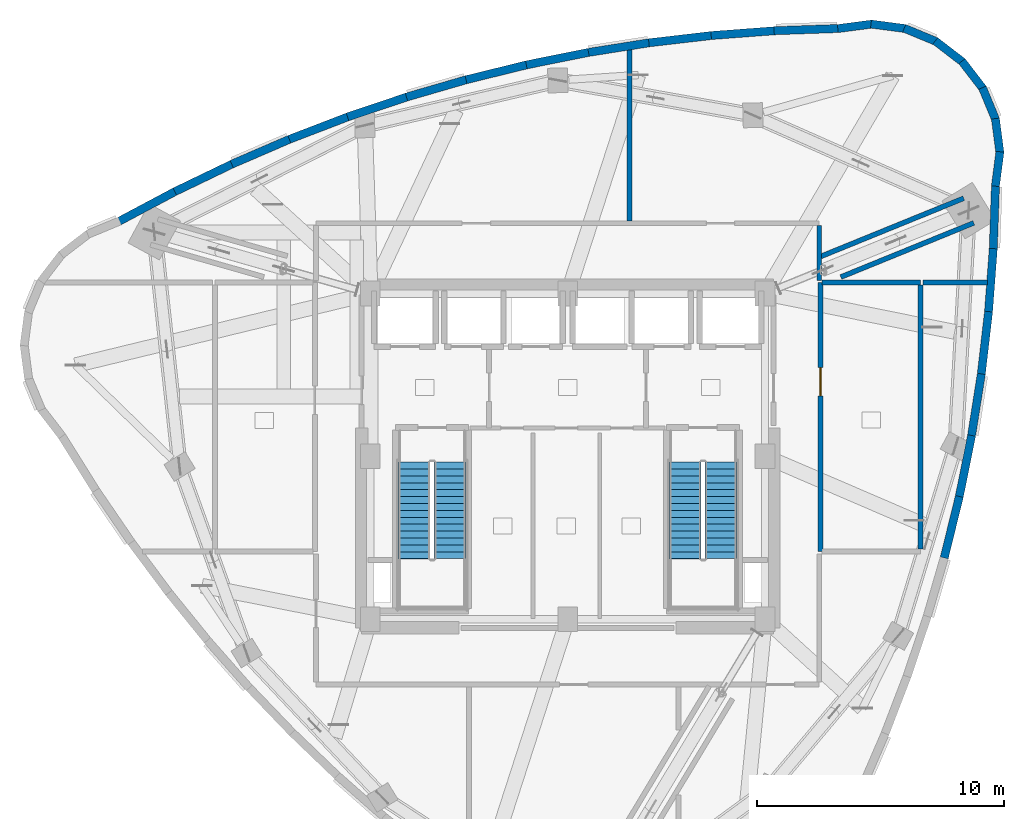
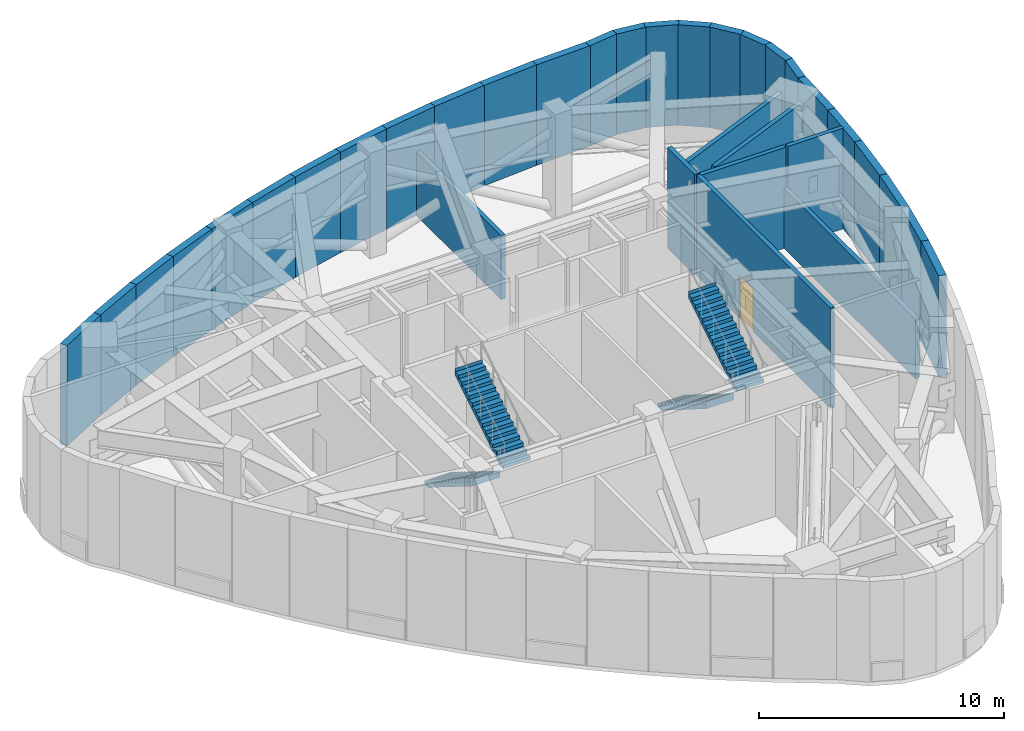
# One storey, part 7 of 10: 34 walls, 4 stair flights, 1 door, 1 opening, 2 elements without a shape of their own.
"""IFC4 building model written with IfcOpenShell, lengths in metres."""

from ifc_helpers import new_model, si_unit, direction, frame, frame_2d, origin, place, context, subcontext, project, spatial, polyline, rectangle, outline, extrude, material, layer, layer_set, type_object, element, fill, aggregate, save


model = new_model("IFC4")

# Units and contexts
model_context = context("Model", 3, precision=1e-05, world=origin(), true_north=direction((0.0, 1.0)))
body_context = subcontext(model_context, "Body", "Model", "MODEL_VIEW")
ifc_project = project(units=[si_unit("LENGTHUNIT", "METRE"), si_unit("AREAUNIT", "SQUARE_METRE"), si_unit("VOLUMEUNIT", "CUBIC_METRE"), si_unit("PLANEANGLEUNIT", "RADIAN"), si_unit("MASSUNIT", "GRAM", prefix="KILO")], contexts=[model_context])

# Site, building, storey
site_placement = place(None, origin())
site = spatial("IfcSite", under=ifc_project, at=site_placement, CompositionType="ELEMENT")
building_placement = place(site_placement, origin())
building = spatial("IfcBuilding", under=site, at=building_placement, Name="Ndelora Gate Hotel", CompositionType="ELEMENT")
storey_placement = place(building_placement, frame((0.0, 0.0, 254.949951171875)))
storey = spatial("IfcBuildingStorey", under=building, at=storey_placement, Name="L64", CompositionType="ELEMENT", Elevation=254.949951171875)

# Walls
ifc_material_1 = material(Name="Clay Brick Masonry", Category="masonry")
ifc_layer_1 = layer(ifc_material_1, 0.330078125)
ifc_layer_set_1 = layer_set([ifc_layer_1], Name="Clay Brick Masonry")
wall_type_1 = type_object("IfcWallType", Name="WL-BRICK-330", PredefinedType="SOLIDWALL", material=ifc_layer_set_1)
wall_1_placement = place(storey_placement, frame((15.88134765625, -1.625244140625, 0.0), z_axis=(0.0, 0.0, 1.0), x_axis=(-0.238526309521, -0.971136035613, 0.0)))
element("IfcWall", 1, at=wall_1_placement, inside=storey, type_object=wall_type_1, Name="L64 Tower Brick Pier-and-Spandrel Wall TWR-35", PredefinedType="SOLIDWALL", context=body_context, shape_type="SweptSolid", body=[
    extrude(rectangle(XDim=2.56591796875, YDim=0.330078125, at=frame_2d((1.282958984375, 0.0))), origin(), (0.0, 0.0, 1.0), 5.0),
])
wall_2_placement = place(storey_placement, frame((16.37841796875, 0.845703125, 0.0), z_axis=(0.0, 0.0, 1.0), x_axis=(-0.197558891775, -0.980291020198, 0.0)))
element("IfcWall", 2, at=wall_2_placement, inside=storey, type_object=wall_type_1, Name="L64 Tower Brick Pier-and-Spandrel Wall TWR-36", PredefinedType="SOLIDWALL", context=body_context, shape_type="SweptSolid", body=[
    extrude(rectangle(XDim=2.570556640625, YDim=0.330078125, at=frame_2d((1.28515625, 0.0))), origin(), (0.0, 0.0, 1.0), 5.0),
])
wall_3_placement = place(storey_placement, frame((16.773681640625, 3.34423828125, 0.0), z_axis=(0.0, 0.0, 1.0), x_axis=(-0.156642981196, -0.987655292317, 0.0)))
element("IfcWall", 3, at=wall_3_placement, inside=storey, type_object=wall_type_1, Name="L64 Tower Brick Pier-and-Spandrel Wall TWR-37", PredefinedType="SOLIDWALL", context=body_context, shape_type="SweptSolid", body=[
    extrude(rectangle(XDim=2.579345703125, YDim=0.330078125, at=frame_2d((1.28955078125, 0.0))), origin(), (0.0, 0.0, 1.0), 5.0),
])
wall_4_placement = place(storey_placement, frame((17.06689453125, 5.86962890625, 0.0), z_axis=(0.0, 0.0, 1.0), x_axis=(-0.115742879223, -0.993279208435, 0.0)))
element("IfcWall", 4, at=wall_4_placement, inside=storey, type_object=wall_type_1, Name="L64 Tower Brick Pier-and-Spandrel Wall TWR-38", PredefinedType="SOLIDWALL", context=body_context, shape_type="SweptSolid", body=[
    extrude(rectangle(XDim=2.59228515625, YDim=0.330078125, at=frame_2d((1.296142578125, 0.0))), origin(), (0.0, 0.0, 1.0), 5.0),
])
wall_5_placement = place(storey_placement, frame((17.258056640625, 8.422607421875, 0.0), z_axis=(0.0, 0.0, 1.0), x_axis=(-0.075115515538, -0.997174838895, 0.0)))
element("IfcWall", 5, at=wall_5_placement, inside=storey, type_object=wall_type_1, Name="L64 Tower Brick Pier-and-Spandrel Wall TWR-39", PredefinedType="SOLIDWALL", context=body_context, shape_type="SweptSolid", body=[
    extrude(rectangle(XDim=2.60986328125, YDim=0.330078125, at=frame_2d((1.304931640625, 0.0))), origin(), (0.0, 0.0, 1.0), 5.0),
])
wall_6_placement = place(storey_placement, frame((17.347412109375, 11.002685546875, 0.0), z_axis=(0.0, 0.0, 1.0), x_axis=(-0.034976728916, -0.999388127023, 0.0)))
element("IfcWall", 6, at=wall_6_placement, inside=storey, type_object=wall_type_1, Name="L64 Tower Brick Pier-and-Spandrel Wall TWR-40", PredefinedType="SOLIDWALL", context=body_context, shape_type="SweptSolid", body=[
    extrude(rectangle(XDim=2.631591796875, YDim=0.330078125, at=frame_2d((1.31591796875, 0.0))), origin(), (0.0, 0.0, 1.0), 5.0),
])
for number, where, z_axis, x_axis, name in (
    (7, (17.527099609375, 12.348388671875, 0.0), (0.0, 0.0, 1.0), (-0.130607061093, -0.991434211429, 0.0), "L64 Tower Brick Pier-and-Spandrel Wall TWR-41"),
    (8, (17.34326171875, 13.6943359375, 0.0), (0.0, 0.0, 1.0), (0.130607061093, -0.991434211429, 0.0), "L64 Tower Brick Pier-and-Spandrel Wall TWR-42"),
    (9, (16.8173828125, 14.94677734375, 0.0), (0.0, 0.0, 1.0), (0.382816464446, -0.923824417597, 0.0), "L64 Tower Brick Pier-and-Spandrel Wall TWR-43"),
):
    element("IfcWall", number, at=place(storey_placement, frame(where, z_axis=z_axis, x_axis=x_axis)), inside=storey, type_object=wall_type_1, Name=name, PredefinedType="SOLIDWALL", context=body_context, shape_type="SweptSolid", body=[
        extrude(rectangle(XDim=1.407470703125, YDim=0.330078125, at=frame_2d((0.70361328125, 0.0))), origin(), (0.0, 0.0, 1.0), 5.0),
    ])
for number, where, z_axis, x_axis, name in (
    (10, (15.9853515625, 16.0205078125, 0.0), (0.0, 0.0, 1.0), (0.608788322782, -0.793332703249, 0.0), "L64 Tower Brick Pier-and-Spandrel Wall TWR-44"),
    (11, (14.90380859375, 16.84228515625, 0.0), (0.0, 0.0, 1.0), (0.793332703249, -0.608788322782, 0.0), "L64 Tower Brick Pier-and-Spandrel Wall TWR-45"),
):
    element("IfcWall", number, at=place(storey_placement, frame(where, z_axis=z_axis, x_axis=x_axis)), inside=storey, type_object=wall_type_1, Name=name, PredefinedType="SOLIDWALL", context=body_context, shape_type="SweptSolid", body=[
        extrude(rectangle(XDim=1.40771484375, YDim=0.330078125, at=frame_2d((0.703857421875, 0.0))), origin(), (0.0, 0.0, 1.0), 5.0),
    ])
for number, where, z_axis, x_axis, name in (
    (12, (13.646484375, 17.356201171875, 0.0), (0.0, 0.0, 1.0), (0.923824417597, -0.382816464446, 0.0), "L64 Tower Brick Pier-and-Spandrel Wall TWR-46"),
    (13, (12.298828125, 17.527099609375, 0.0), (0.0, 0.0, 1.0), (0.991434211429, -0.130607061093, 0.0), "L64 Tower Brick Pier-and-Spandrel Wall TWR-47"),
    (14, (10.952880859375, 17.34326171875, 0.0), (0.0, 0.0, 1.0), (0.991434211429, 0.130607061093, 0.0), "L64 Tower Brick Pier-and-Spandrel Wall TWR-48"),
):
    element("IfcWall", number, at=place(storey_placement, frame(where, z_axis=z_axis, x_axis=x_axis)), inside=storey, type_object=wall_type_1, Name=name, PredefinedType="SOLIDWALL", context=body_context, shape_type="SweptSolid", body=[
        extrude(rectangle(XDim=1.407470703125, YDim=0.330078125, at=frame_2d((0.70361328125, 0.0))), origin(), (0.0, 0.0, 1.0), 5.0),
    ])
wall_7_placement = place(storey_placement, frame((8.372802734375, 17.25537109375, 0.0), z_axis=(0.0, 0.0, 1.0), x_axis=(0.999388127023, 0.034976728916, 0.0)))
element("IfcWall", 15, at=wall_7_placement, inside=storey, type_object=wall_type_1, Name="L64 Tower Brick Pier-and-Spandrel Wall TWR-49", PredefinedType="SOLIDWALL", context=body_context, shape_type="SweptSolid", body=[
    extrude(rectangle(XDim=2.631591796875, YDim=0.330078125, at=frame_2d((1.31591796875, 0.0))), origin(), (0.0, 0.0, 1.0), 5.0),
])
wall_8_placement = place(storey_placement, frame((5.820068359375, 17.06201171875, 0.0), z_axis=(0.0, 0.0, 1.0), x_axis=(0.997174838895, 0.075115515538, 0.0)))
element("IfcWall", 16, at=wall_8_placement, inside=storey, type_object=wall_type_1, Name="L64 Tower Brick Pier-and-Spandrel Wall TWR-50", PredefinedType="SOLIDWALL", context=body_context, shape_type="SweptSolid", body=[
    extrude(rectangle(XDim=2.60986328125, YDim=0.330078125, at=frame_2d((1.304931640625, 0.0))), origin(), (0.0, 0.0, 1.0), 5.0),
])
wall_9_placement = place(storey_placement, frame((3.294677734375, 16.766845703125, 0.0), z_axis=(0.0, 0.0, 1.0), x_axis=(0.993279208435, 0.115742879223, 0.0)))
element("IfcWall", 17, at=wall_9_placement, inside=storey, type_object=wall_type_1, Name="L64 Tower Brick Pier-and-Spandrel Wall TWR-51", PredefinedType="SOLIDWALL", context=body_context, shape_type="SweptSolid", body=[
    extrude(rectangle(XDim=2.59228515625, YDim=0.330078125, at=frame_2d((1.296142578125, 0.0))), origin(), (0.0, 0.0, 1.0), 5.0),
])
wall_10_placement = place(storey_placement, frame((0.796630859375, 16.36962890625, 0.0), z_axis=(0.0, 0.0, 1.0), x_axis=(0.987655292317, 0.156642981196, 0.0)))
element("IfcWall", 18, at=wall_10_placement, inside=storey, type_object=wall_type_1, Name="L64 Tower Brick Pier-and-Spandrel Wall TWR-52", PredefinedType="SOLIDWALL", context=body_context, shape_type="SweptSolid", body=[
    extrude(rectangle(XDim=2.579345703125, YDim=0.330078125, at=frame_2d((1.28955078125, 0.0))), origin(), (0.0, 0.0, 1.0), 5.0),
])
wall_11_placement = place(storey_placement, frame((-1.674072265625, 15.87060546875, 0.0), z_axis=(0.0, 0.0, 1.0), x_axis=(0.980291020198, 0.197558891775, 0.0)))
element("IfcWall", 19, at=wall_11_placement, inside=storey, type_object=wall_type_1, Name="L64 Tower Brick Pier-and-Spandrel Wall TWR-53", PredefinedType="SOLIDWALL", context=body_context, shape_type="SweptSolid", body=[
    extrude(rectangle(XDim=2.570556640625, YDim=0.330078125, at=frame_2d((1.28515625, 0.0))), origin(), (0.0, 0.0, 1.0), 5.0),
])
wall_12_placement = place(storey_placement, frame((-4.1171875, 15.269287109375, 0.0), z_axis=(0.0, 0.0, 1.0), x_axis=(0.971136035613, 0.238526309521, 0.0)))
element("IfcWall", 20, at=wall_12_placement, inside=storey, type_object=wall_type_1, Name="L64 Tower Brick Pier-and-Spandrel Wall TWR-54", PredefinedType="SOLIDWALL", context=body_context, shape_type="SweptSolid", body=[
    extrude(rectangle(XDim=2.56591796875, YDim=0.330078125, at=frame_2d((1.282958984375, 0.0))), origin(), (0.0, 0.0, 1.0), 5.0),
])
wall_13_placement = place(storey_placement, frame((-6.533203125, 14.566162109375, 0.0), z_axis=(0.0, 0.0, 1.0), x_axis=(0.960275523667, 0.279053612495, 0.0)))
element("IfcWall", 21, at=wall_13_placement, inside=storey, type_object=wall_type_1, Name="L64 Tower Brick Pier-and-Spandrel Wall TWR-55", PredefinedType="SOLIDWALL", context=body_context, shape_type="SweptSolid", body=[
    extrude(rectangle(XDim=2.566162109375, YDim=0.330078125, at=frame_2d((1.283203125, 0.0))), origin(), (0.0, 0.0, 1.0), 5.0),
])
wall_14_placement = place(storey_placement, frame((-8.921630859375, 13.76123046875, 0.0), z_axis=(0.0, 0.0, 1.0), x_axis=(0.947738773702, 0.319047358275, 0.0)))
element("IfcWall", 22, at=wall_14_placement, inside=storey, type_object=wall_type_1, Name="L64 Tower Brick Pier-and-Spandrel Wall TWR-56", PredefinedType="SOLIDWALL", context=body_context, shape_type="SweptSolid", body=[
    extrude(rectangle(XDim=2.5703125, YDim=0.330078125, at=frame_2d((1.28515625, 0.0))), origin(), (0.0, 0.0, 1.0), 5.0),
])
wall_15_placement = place(storey_placement, frame((-11.282958984375, 12.854248046875, 0.0), z_axis=(0.0, 0.0, 1.0), x_axis=(0.933625855472, 0.358249580592, 0.0)))
element("IfcWall", 23, at=wall_15_placement, inside=storey, type_object=wall_type_1, Name="L64 Tower Brick Pier-and-Spandrel Wall TWR-57", PredefinedType="SOLIDWALL", context=body_context, shape_type="SweptSolid", body=[
    extrude(rectangle(XDim=2.579345703125, YDim=0.330078125, at=frame_2d((1.28955078125, 0.0))), origin(), (0.0, 0.0, 1.0), 5.0),
])
wall_16_placement = place(storey_placement, frame((-13.61669921875, 11.845458984375, 0.0), z_axis=(0.0, 0.0, 1.0), x_axis=(0.918055342975, 0.39645225089, 0.0)))
element("IfcWall", 24, at=wall_16_placement, inside=storey, type_object=wall_type_1, Name="L64 Tower Brick Pier-and-Spandrel Wall TWR-58", PredefinedType="SOLIDWALL", context=body_context, shape_type="SweptSolid", body=[
    extrude(rectangle(XDim=2.592529296875, YDim=0.330078125, at=frame_2d((1.29638671875, 0.0))), origin(), (0.0, 0.0, 1.0), 5.0),
])
wall_17_placement = place(storey_placement, frame((-15.923095703125, 10.734619140625, 0.0), z_axis=(0.0, 0.0, 1.0), x_axis=(0.901115392384, 0.433579346382, 0.0)))
element("IfcWall", 25, at=wall_17_placement, inside=storey, type_object=wall_type_1, Name="L64 Tower Brick Pier-and-Spandrel Wall TWR-59", PredefinedType="SOLIDWALL", context=body_context, shape_type="SweptSolid", body=[
    extrude(rectangle(XDim=2.60986328125, YDim=0.330078125, at=frame_2d((1.304931640625, 0.0))), origin(), (0.0, 0.0, 1.0), 5.0),
])
wall_18_placement = place(storey_placement, frame((-18.202392578125, 9.52197265625, 0.0), z_axis=(0.0, 0.0, 1.0), x_axis=(0.883017203333, 0.469340621103, 0.0)))
element("IfcWall", 26, at=wall_18_placement, inside=storey, type_object=wall_type_1, Name="L64 Tower Brick Pier-and-Spandrel Wall TWR-60", PredefinedType="SOLIDWALL", context=body_context, shape_type="SweptSolid", body=[
    extrude(rectangle(XDim=2.631591796875, YDim=0.330078125, at=frame_2d((1.31591796875, 0.0))), origin(), (0.0, 0.0, 1.0), 5.0),
])
ifc_material_2 = material(Name="Concrete C40/50", Category="concrete")
ifc_layer_2 = layer(ifc_material_2, 0.199951171875)
ifc_layer_set_2 = layer_set([ifc_layer_2], Name="Concrete C40/50")
wall_type_2 = type_object("IfcWallType", Name="WL-FIRE-200", PredefinedType="PARTITIONING", material=ifc_layer_set_2)
wall_19_placement = place(storey_placement, frame((11.07666015625, 7.27001953125, 0.0), z_axis=(0.0, 0.0, 1.0), x_axis=(0.926125486863, 0.377215565139, 0.0)))
element("IfcWall", 27, at=wall_19_placement, inside=storey, type_object=wall_type_2, Name="L64 Interior Wall IW-2", PredefinedType="PARTITIONING", context=body_context, shape_type="SweptSolid", body=[
    extrude(rectangle(XDim=5.817138671875, YDim=0.199951171875, at=frame_2d((2.90869140625, 0.0))), origin(), (0.0, 0.0, 1.0), 5.0),
])
wall_20_placement = place(storey_placement, frame((10.260009765625, 8.103515625, 0.0), z_axis=(0.0, 0.0, 1.0), x_axis=(0.926120625084, 0.377227501377, 0.0)))
element("IfcWall", 28, at=wall_20_placement, inside=storey, type_object=wall_type_2, Name="L64 Interior Wall IW-2", PredefinedType="PARTITIONING", context=body_context, shape_type="SweptSolid", body=[
    extrude(rectangle(XDim=6.259033203125, YDim=0.199951171875, at=frame_2d((3.12939453125, 0.0))), origin(), (0.0, 0.0, 1.0), 5.0),
])
wall_21_placement = place(storey_placement, frame((14.300048828125, 6.949951171875, 0.0), z_axis=(0.0, 0.0, 1.0), x_axis=(0.0, -1.0, 0.0)))
element("IfcWall", 29, at=wall_21_placement, inside=storey, type_object=wall_type_2, Name="L64 Interior Wall IW-2", PredefinedType="PARTITIONING", context=body_context, shape_type="SweptSolid", body=[
    extrude(rectangle(XDim=10.699951171875, YDim=0.199951171875, at=frame_2d((5.35009765625, 0.0))), origin(), (0.0, 0.0, 1.0), 2.97998046875),
])
wall_22_placement = place(storey_placement, frame((14.300048828125, 7.050048828125, 0.0), z_axis=(0.0, 0.0, 1.0), x_axis=(-1.0, 0.0, 0.0)))
element("IfcWall", 30, at=wall_22_placement, inside=storey, type_object=wall_type_2, Name="L64 Interior Wall IW-2", PredefinedType="PARTITIONING", context=body_context, shape_type="SweptSolid", body=[
    extrude(rectangle(XDim=3.97998046875, YDim=0.199951171875, at=frame_2d((1.989990234375, 0.0))), origin(), (0.0, 0.0, 1.0), 5.0),
])

# Wall, opening, door
wall_23_placement = place(storey_placement, frame((10.25, 7.050048828125, 0.0), z_axis=(0.0, 0.0, 1.0), x_axis=(0.0, -1.0, 0.0)))
wall_23 = element("IfcWall", 31, at=wall_23_placement, inside=storey, type_object=wall_type_2, Name="L64 Interior Wall IW-2", PredefinedType="PARTITIONING", context=body_context, shape_type="SweptSolid", body=[
    extrude(rectangle(XDim=10.900146484375, YDim=0.199951171875, at=frame_2d((5.4501953125, 0.0))), origin(), (0.0, 0.0, 1.0), 5.0),
])
opening_placement = place(wall_23_placement, frame((3.449951171875, 0.0, 0.0)))
opening = element("IfcOpeningElement", 32, at=opening_placement, cuts=wall_23, Name="Opening FD1", PredefinedType="OPENING", context=body_context, shape_type="SweptSolid", body=[
    extrude(rectangle(XDim=1.14990234375, YDim=2.14990234375, at=frame_2d((0.574951171875, 1.074951171875))), frame((0.0, 0.10986328125, 0.0), z_axis=(0.0, -1.0, 0.0), x_axis=(1.0, 0.0, 0.0)), (0.0, 0.0, 1.0), 0.219970703125),
])
ifc_material_3 = material(Name="Fire-Rated Timber-Veneer Steel Core", Category="steel")
door_type = type_object("IfcDoorType", Name="DR-FD60", OperationType="SINGLE_SWING_LEFT", PredefinedType="DOOR", material=ifc_material_3)
door_placement = place(opening_placement, origin())
door = element("IfcDoor", 33, at=door_placement, inside=storey, type_object=door_type, Name="L64 East Refuge Corridor Fire Door", OperationType="SINGLE_SWING_LEFT", OverallHeight=2.14990234375, OverallWidth=1.14990234375, PredefinedType="DOOR", context=body_context, shape_type="SweptSolid", body=[
    extrude(rectangle(XDim=1.14990234375, YDim=2.14990234375, at=frame_2d((0.574951171875, 1.074951171875))), frame((0.0, 0.02490234375, 0.0), z_axis=(0.0, -1.0, 0.0), x_axis=(1.0, 0.0, 0.0)), (0.0, 0.0, 1.0), 0.050048828125),
])
fill(opening, door)

# Walls
wall_24_placement = place(storey_placement, frame((2.5, 9.550048828125, 0.0), z_axis=(0.0, 0.0, 1.0), x_axis=(0.0, 1.0, 0.0)))
element("IfcWall", 34, at=wall_24_placement, inside=storey, type_object=wall_type_2, Name="L64 Interior Wall IW-2", PredefinedType="PARTITIONING", context=body_context, shape_type="SweptSolid", body=[
    extrude(rectangle(XDim=6.947998046875, YDim=0.199951171875, at=frame_2d((3.47412109375, 0.0))), origin(), (0.0, 0.0, 1.0), 3.179931640625),
])
wall_25_placement = place(storey_placement, frame((14.39990234375, 7.050048828125, 0.0), z_axis=(0.0, 0.0, 1.0), x_axis=(1.0, 0.0, 0.0)))
element("IfcWall", 35, at=wall_25_placement, inside=storey, type_object=wall_type_2, Name="L64 Interior Wall IW-2", PredefinedType="PARTITIONING", context=body_context, shape_type="SweptSolid", body=[
    extrude(rectangle(XDim=2.614501953125, YDim=0.199951171875, at=frame_2d((1.30712890625, 0.0))), origin(), (0.0, 0.0, 1.0), 5.0),
])
wall_26_placement = place(storey_placement, frame((10.199951171875, 7.1201171875, 0.0), z_axis=(0.0, 0.0, 1.0), x_axis=(0.0, 1.0, 0.0)))
element("IfcWall", 36, at=wall_26_placement, inside=storey, type_object=wall_type_2, Name="L64 Interior Wall IW-2", PredefinedType="PARTITIONING", context=body_context, shape_type="SweptSolid", body=[
    extrude(rectangle(XDim=2.22998046875, YDim=0.199951171875, at=frame_2d((1.114990234375, 0.0))), origin(), (0.0, 0.0, 1.0), 5.0),
])

# Stair, stair flights
ifc_material_4 = material(Name="Precast concrete C40/50", Category="concrete")
stair_type = type_object("IfcStairType", Name="STR-DOG-CORE", PredefinedType="HALF_TURN_STAIR", material=ifc_material_4)
stair_1_placement = place(storey_placement, origin())
stair_1 = element("IfcStair", 37, at=stair_1_placement, inside=storey, type_object=stair_type, Name="L64 Protected Core Exit Stair ST4", PredefinedType="HALF_TURN_STAIR")
stair_flight_type = type_object("IfcStairFlightType", Name="STF-PRECAST", PredefinedType="STRAIGHT", material=ifc_material_4)
stair_flight_1_placement = place(storey_placement, frame((-6.2099609375, -0.22998046875, 0.0), z_axis=(0.0, 0.0, 1.0), x_axis=(0.0, -1.0, 0.0)))
stair_flight_1 = element("IfcStairFlight", 38, at=stair_flight_1_placement, type_object=stair_flight_type, Name="ST4 flight 1", NumberOfRisers=15, NumberOfTreads=14, PredefinedType="STRAIGHT", RiserHeight=0.175, TreadLength=0.28, context=body_context, shape_type="SweptSolid", body=[
    extrude(outline(polyline([(-0.00048828125, 0.0), (-0.00048828125, 0.175048828125), (0.0, 0.175048828125), (0.280029296875, 0.175048828125), (0.280029296875, 0.35009765625), (0.56005859375, 0.35009765625), (0.56005859375, 0.52490234375), (0.840087890625, 0.52490234375), (0.840087890625, 0.699951171875), (1.1201171875, 0.699951171875), (1.1201171875, 0.875), (1.39990234375, 0.875), (1.39990234375, 1.050048828125), (1.679931640625, 1.050048828125), (1.679931640625, 1.22509765625), (1.9599609375, 1.22509765625), (1.9599609375, 1.39990234375), (2.239990234375, 1.39990234375), (2.239990234375, 1.574951171875), (2.52001953125, 1.574951171875), (2.52001953125, 1.75), (2.800048828125, 1.75), (2.800048828125, 1.925048828125), (3.080078125, 1.925048828125), (3.080078125, 2.10009765625), (3.360107421875, 2.10009765625), (3.360107421875, 2.27490234375), (3.639892578125, 2.27490234375), (3.639892578125, 2.449951171875), (3.919921875, 2.449951171875), (3.919921875, 2.625), (3.920654296875, 2.625), (3.920654296875, 2.445068359375), (3.919921875, 2.273193359375), (0.28271484375, 0.0), (-0.00048828125, 0.0)])), frame((0.0, 0.64013671875, 0.0), z_axis=(0.0, -1.0, 0.0), x_axis=(1.0, 0.0, 0.0)), (0.0, 0.0, 1.0), 1.280029296875),
])
stair_flight_2_placement = place(storey_placement, frame((-4.77001953125, -4.14990234375, 2.625), z_axis=(0.0, 0.0, 1.0), x_axis=(0.0, 1.0, 0.0)))
stair_flight_2 = element("IfcStairFlight", 39, at=stair_flight_2_placement, type_object=stair_flight_type, Name="ST4 flight 2", NumberOfRisers=15, NumberOfTreads=14, PredefinedType="STRAIGHT", RiserHeight=0.175, TreadLength=0.28, context=body_context, shape_type="SweptSolid", body=[
    extrude(outline(polyline([(-0.00048828125, 0.0), (-0.00048828125, 0.175048828125), (0.0, 0.175048828125), (0.280029296875, 0.175048828125), (0.280029296875, 0.35009765625), (0.56005859375, 0.35009765625), (0.56005859375, 0.52490234375), (0.840087890625, 0.52490234375), (0.840087890625, 0.699951171875), (1.1201171875, 0.699951171875), (1.1201171875, 0.875), (1.39990234375, 0.875), (1.39990234375, 1.050048828125), (1.679931640625, 1.050048828125), (1.679931640625, 1.22509765625), (1.9599609375, 1.22509765625), (1.9599609375, 1.39990234375), (2.239990234375, 1.39990234375), (2.239990234375, 1.574951171875), (2.52001953125, 1.574951171875), (2.52001953125, 1.75), (2.800048828125, 1.75), (2.800048828125, 1.925048828125), (3.080078125, 1.925048828125), (3.080078125, 2.10009765625), (3.360107421875, 2.10009765625), (3.360107421875, 2.27490234375), (3.639892578125, 2.27490234375), (3.639892578125, 2.449951171875), (3.919921875, 2.449951171875), (3.919921875, 2.625), (3.920654296875, 2.625), (3.920654296875, 2.445068359375), (3.919921875, 2.273193359375), (0.28271484375, 0.0), (-0.00048828125, 0.0)])), frame((0.0, 0.64013671875, 0.0), z_axis=(0.0, -1.0, 0.0), x_axis=(1.0, 0.0, 0.0)), (0.0, 0.0, 1.0), 1.280029296875),
])
aggregate(stair_1, [stair_flight_1, stair_flight_2])

stair_2_placement = place(storey_placement, origin())
stair_2 = element("IfcStair", 40, at=stair_2_placement, inside=storey, type_object=stair_type, Name="L64 Protected Core Exit Stair ST5", PredefinedType="HALF_TURN_STAIR")
stair_flight_3_placement = place(storey_placement, frame((4.77001953125, -0.22998046875, 0.0), z_axis=(0.0, 0.0, 1.0), x_axis=(0.0, -1.0, 0.0)))
stair_flight_3 = element("IfcStairFlight", 41, at=stair_flight_3_placement, type_object=stair_flight_type, Name="ST5 flight 1", NumberOfRisers=15, NumberOfTreads=14, PredefinedType="STRAIGHT", RiserHeight=0.175, TreadLength=0.28, context=body_context, shape_type="SweptSolid", body=[
    extrude(outline(polyline([(-0.00048828125, 0.0), (-0.00048828125, 0.175048828125), (0.0, 0.175048828125), (0.280029296875, 0.175048828125), (0.280029296875, 0.35009765625), (0.56005859375, 0.35009765625), (0.56005859375, 0.52490234375), (0.840087890625, 0.52490234375), (0.840087890625, 0.699951171875), (1.1201171875, 0.699951171875), (1.1201171875, 0.875), (1.39990234375, 0.875), (1.39990234375, 1.050048828125), (1.679931640625, 1.050048828125), (1.679931640625, 1.22509765625), (1.9599609375, 1.22509765625), (1.9599609375, 1.39990234375), (2.239990234375, 1.39990234375), (2.239990234375, 1.574951171875), (2.52001953125, 1.574951171875), (2.52001953125, 1.75), (2.800048828125, 1.75), (2.800048828125, 1.925048828125), (3.080078125, 1.925048828125), (3.080078125, 2.10009765625), (3.360107421875, 2.10009765625), (3.360107421875, 2.27490234375), (3.639892578125, 2.27490234375), (3.639892578125, 2.449951171875), (3.919921875, 2.449951171875), (3.919921875, 2.625), (3.920654296875, 2.625), (3.920654296875, 2.445068359375), (3.919921875, 2.273193359375), (0.28271484375, 0.0), (-0.00048828125, 0.0)])), frame((0.0, 0.64013671875, 0.0), z_axis=(0.0, -1.0, 0.0), x_axis=(1.0, 0.0, 0.0)), (0.0, 0.0, 1.0), 1.280029296875),
])
stair_flight_4_placement = place(storey_placement, frame((6.2099609375, -4.14990234375, 2.625), z_axis=(0.0, 0.0, 1.0), x_axis=(0.0, 1.0, 0.0)))
stair_flight_4 = element("IfcStairFlight", 42, at=stair_flight_4_placement, type_object=stair_flight_type, Name="ST5 flight 2", NumberOfRisers=15, NumberOfTreads=14, PredefinedType="STRAIGHT", RiserHeight=0.175, TreadLength=0.28, context=body_context, shape_type="SweptSolid", body=[
    extrude(outline(polyline([(-0.00048828125, 0.0), (-0.00048828125, 0.175048828125), (0.0, 0.175048828125), (0.280029296875, 0.175048828125), (0.280029296875, 0.35009765625), (0.56005859375, 0.35009765625), (0.56005859375, 0.52490234375), (0.840087890625, 0.52490234375), (0.840087890625, 0.699951171875), (1.1201171875, 0.699951171875), (1.1201171875, 0.875), (1.39990234375, 0.875), (1.39990234375, 1.050048828125), (1.679931640625, 1.050048828125), (1.679931640625, 1.22509765625), (1.9599609375, 1.22509765625), (1.9599609375, 1.39990234375), (2.239990234375, 1.39990234375), (2.239990234375, 1.574951171875), (2.52001953125, 1.574951171875), (2.52001953125, 1.75), (2.800048828125, 1.75), (2.800048828125, 1.925048828125), (3.080078125, 1.925048828125), (3.080078125, 2.10009765625), (3.360107421875, 2.10009765625), (3.360107421875, 2.27490234375), (3.639892578125, 2.27490234375), (3.639892578125, 2.449951171875), (3.919921875, 2.449951171875), (3.919921875, 2.625), (3.920654296875, 2.625), (3.920654296875, 2.445068359375), (3.919921875, 2.273193359375), (0.28271484375, 0.0), (-0.00048828125, 0.0)])), frame((0.0, 0.64013671875, 0.0), z_axis=(0.0, -1.0, 0.0), x_axis=(1.0, 0.0, 0.0)), (0.0, 0.0, 1.0), 1.280029296875),
])
aggregate(stair_2, [stair_flight_3, stair_flight_4])

save(model, "model.ifc")
